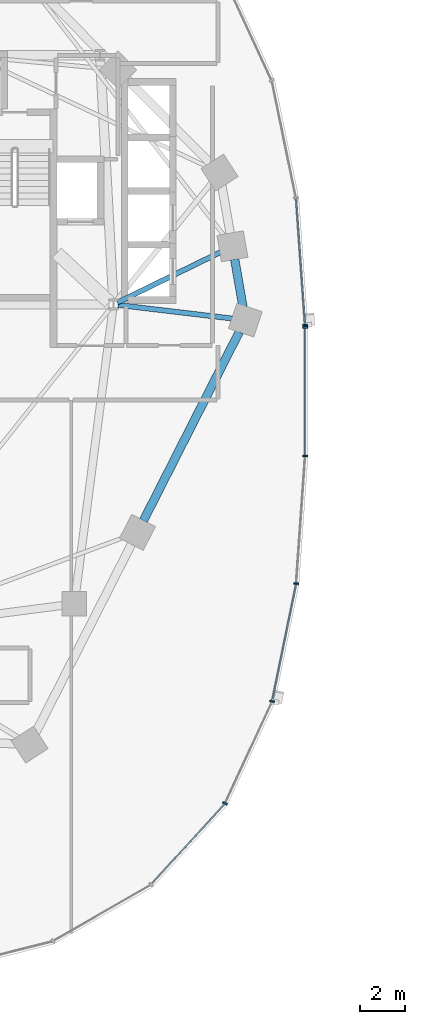
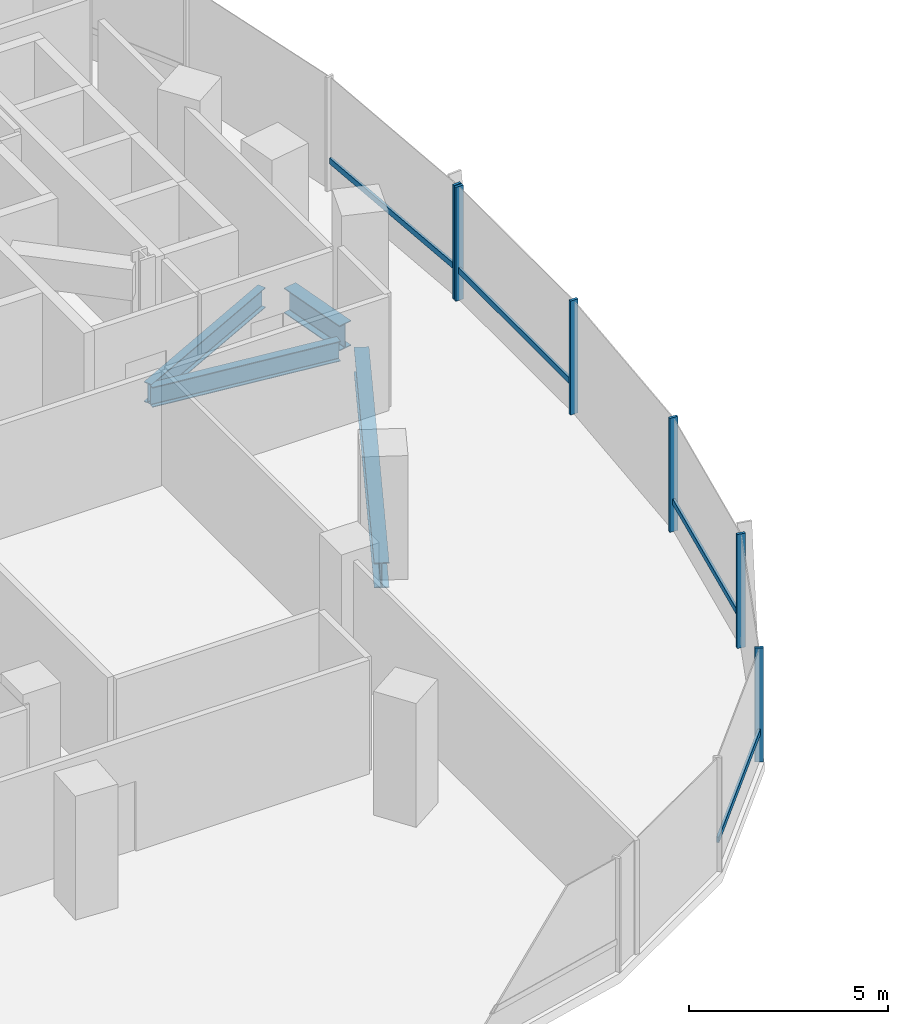
# One storey, part 3 of 21: 10 members, 4 beams, 2 elements without a shape of their own.
"""IFC4 building model written with IfcOpenShell, lengths in metres."""

from ifc_helpers import new_model, si_unit, direction, frame, origin, origin_2d, place, context, subcontext, project, spatial, rectangle, i_section, extrude, material, material_profile, profile_set, type_object, element, aggregate, save


model = new_model("IFC4")

# Units and contexts
model_context = context("Model", 3, precision=1e-05, world=origin(), true_north=direction((0.0, 1.0)))
body_context = subcontext(model_context, "Body", "Model", "MODEL_VIEW")
ifc_project = project(units=[si_unit("LENGTHUNIT", "METRE"), si_unit("AREAUNIT", "SQUARE_METRE"), si_unit("VOLUMEUNIT", "CUBIC_METRE"), si_unit("PLANEANGLEUNIT", "RADIAN"), si_unit("MASSUNIT", "GRAM", prefix="KILO"), si_unit("THERMODYNAMICTEMPERATUREUNIT", "KELVIN"), si_unit("POWERUNIT", "WATT")], contexts=[model_context])

# Site, building, storey
site_placement = place(None, origin())
site = spatial("IfcSite", under=ifc_project, at=site_placement, CompositionType="ELEMENT")
building_placement = place(site_placement, origin())
building = spatial("IfcBuilding", under=site, at=building_placement, Name="Cundina Bronze Exchange", CompositionType="ELEMENT")
storey_placement = place(building_placement, frame((0.0, 0.0, 27.800048828125)))
storey = spatial("IfcBuildingStorey", under=building, at=storey_placement, Name="L06", CompositionType="ELEMENT", Elevation=27.800048828125)

# Beams
ifc_material_1 = material(Name="Steel ASTM A992 Grade 50", Category="steel")
ifc_material_profile_1 = material_profile(ifc_material_1, i_section(OverallWidth=0.22998046875, OverallDepth=0.616943359375, WebThickness=0.01318359375, FlangeThickness=0.022216796875, FilletRadius=0.013916015625, at=origin_2d()), Name="W24X94", Category="steel")
ifc_profile_set_1 = profile_set([ifc_material_profile_1], Name="Steel ASTM A992 Grade 50")
beam_type_1 = type_object("IfcBeamType", Name="BM-FLR-W24B", PredefinedType="BEAM", material=ifc_profile_set_1)
beam_1_placement = place(storey_placement, frame((-21.247314453125, 3.8759765625, -0.608642578125), z_axis=(0.993035236117, -0.117817739878, 0.0), x_axis=(0.117817739878, 0.993035236117, 0.0)))
element("IfcBeam", 1, at=beam_1_placement, inside=storey, type_object=beam_type_1, Name="L06 Leg W Radial Floor Beam 00", PredefinedType="BEAM", context=body_context, shape_type="SweptSolid", body=[
    extrude(i_section(OverallWidth=0.22998046875, OverallDepth=0.616943359375, WebThickness=0.01318359375, FlangeThickness=0.022216796875, FilletRadius=0.013916015625, at=origin_2d()), origin(), (0.0, 0.0, 1.0), 5.1494140625),
])
beam_2_placement = place(storey_placement, frame((-21.2666015625, 3.989501953125, -0.608642578125), z_axis=(0.898610249448, 0.438747785849, 0.0), x_axis=(-0.438747785849, 0.898610249448, 0.0)))
element("IfcBeam", 2, at=beam_2_placement, inside=storey, type_object=beam_type_1, Name="L06 Leg W Radial Floor Beam 01", PredefinedType="BEAM", context=body_context, shape_type="SweptSolid", body=[
    extrude(i_section(OverallWidth=0.22998046875, OverallDepth=0.616943359375, WebThickness=0.01318359375, FlangeThickness=0.022216796875, FilletRadius=0.013916015625, at=origin_2d()), origin(), (0.0, 0.0, 1.0), 5.1337890625),
])
ifc_material_profile_2 = material_profile(ifc_material_1, i_section(OverallWidth=0.381103515625, OverallDepth=0.77294921875, WebThickness=0.0166015625, FlangeThickness=0.027099609375, FilletRadius=0.01904296875, at=origin_2d()), Name="W30X173", Category="steel")
ifc_profile_set_2 = profile_set([ifc_material_profile_2], Name="Steel ASTM A992 Grade 50")
beam_type_2 = type_object("IfcBeamType", Name="BM-RING-W30", PredefinedType="USERDEFINED", material=ifc_profile_set_2)
beam_3_placement = place(storey_placement, frame((-15.65087890625, 3.779296875, -0.6865234375), z_axis=(-0.171734584051, 0.985143254883, 0.0), x_axis=(-0.985143254883, -0.171734584051, 0.0)))
element("IfcBeam", 3, at=beam_3_placement, inside=storey, type_object=beam_type_2, Name="L06 W Perimeter Ring Girder 00", ObjectType="GIRDER", PredefinedType="USERDEFINED", context=body_context, shape_type="SweptSolid", body=[
    extrude(i_section(OverallWidth=0.381103515625, OverallDepth=0.77294921875, WebThickness=0.0166015625, FlangeThickness=0.027099609375, FilletRadius=0.01904296875, at=origin_2d()), origin(), (0.0, 0.0, 1.0), 2.173583984375),
])
beam_4_placement = place(storey_placement, frame((-20.108642578125, -5.775634765625, -0.6865234375), z_axis=(0.452819633606, 0.891602141889, 0.0), x_axis=(-0.891602141889, 0.452819633606, 0.0)))
element("IfcBeam", 4, at=beam_4_placement, inside=storey, type_object=beam_type_2, Name="L06 W Perimeter Ring Girder 13", ObjectType="GIRDER", PredefinedType="USERDEFINED", context=body_context, shape_type="SweptSolid", body=[
    extrude(i_section(OverallWidth=0.381103515625, OverallDepth=0.77294921875, WebThickness=0.0166015625, FlangeThickness=0.027099609375, FilletRadius=0.01904296875, at=origin_2d()), origin(), (0.0, 0.0, 1.0), 9.47900390625),
])

# Curtain wall, member
ifc_material_2 = material(Name="Anodised Bronze Aluminium 6063-T6", Category="aluminium")
curtain_wall_type = type_object("IfcCurtainWallType", Name="CWS-TRD-LOW", PredefinedType="NOTDEFINED", material=ifc_material_2)
curtain_wall_1_placement = place(storey_placement, origin())
curtain_wall_1 = element("IfcCurtainWall", 5, at=curtain_wall_1_placement, inside=storey, type_object=curtain_wall_type, Name="L06 CW-02 Curtain Wall Run CWR-L06-W1", PredefinedType="NOTDEFINED")
ifc_material_profile_3 = material_profile(ifc_material_2, rectangle(XDim=0.074951171875, YDim=0.219970703125, at=origin_2d()), Name="AL75X220", Category="aluminium")
ifc_profile_set_3 = profile_set([ifc_material_profile_3], Name="Anodised Bronze Aluminium 6063-T6")
member_type_1 = type_object("IfcMemberType", Name="CWM-MUL-220", PredefinedType="MULLION", material=ifc_profile_set_3)
member_1_placement = place(storey_placement, frame((-12.87548828125, 2.976318359375, 0.0), z_axis=(0.0, 0.0, 1.0), x_axis=(-0.070278787473, 0.997527389113, 0.0)))
member_1 = element("IfcMember", 6, at=member_1_placement, type_object=member_type_1, Name="CW-02 Mullion 1", PredefinedType="MULLION", context=body_context, shape_type="SweptSolid", body=[
    extrude(rectangle(XDim=0.074951171875, YDim=0.219970703125, at=origin_2d()), origin(), (0.0, 0.0, 1.0), 3.5),
])

# Curtain wall, members
curtain_wall_2_placement = place(storey_placement, origin())
curtain_wall_2 = element("IfcCurtainWall", 7, at=curtain_wall_2_placement, inside=storey, type_object=curtain_wall_type, Name="L06 CW-02 Curtain Wall Run CWR-L06-W4", PredefinedType="NOTDEFINED")
member_2_placement = place(storey_placement, frame((-16.455810546875, -18.423583984375, 0.0), z_axis=(0.0, 0.0, 1.0), x_axis=(0.42087749791, 0.907117485088, 0.0)))
member_2 = element("IfcMember", 8, at=member_2_placement, type_object=member_type_1, Name="CW-02 Mullion 4", PredefinedType="MULLION", context=body_context, shape_type="SweptSolid", body=[
    extrude(rectangle(XDim=0.074951171875, YDim=0.219970703125, at=origin_2d()), origin(), (0.0, 0.0, 1.0), 3.5),
])
member_3_placement = place(storey_placement, frame((-14.348876953125, -13.861328125, 0.0), z_axis=(0.0, 0.0, 1.0), x_axis=(0.201419845156, 0.979505000486, 0.0)))
member_3 = element("IfcMember", 9, at=member_3_placement, type_object=member_type_1, Name="CW-02 Mullion 5", PredefinedType="MULLION", context=body_context, shape_type="SweptSolid", body=[
    extrude(rectangle(XDim=0.074951171875, YDim=0.219970703125, at=origin_2d()), origin(), (0.0, 0.0, 1.0), 3.5),
])
member_4_placement = place(storey_placement, frame((-13.27099609375, -8.591552734375, 0.0), z_axis=(0.0, 0.0, 1.0), x_axis=(0.070278787473, 0.997527389113, 0.0)))
member_4 = element("IfcMember", 10, at=member_4_placement, type_object=member_type_1, Name="CW-02 Mullion 6", PredefinedType="MULLION", context=body_context, shape_type="SweptSolid", body=[
    extrude(rectangle(XDim=0.074951171875, YDim=0.219970703125, at=origin_2d()), origin(), (0.0, 0.0, 1.0), 3.5),
])
member_5_placement = place(storey_placement, frame((-12.8720703125, -2.880615234375, 0.0), z_axis=(0.0, 0.0, 1.0), x_axis=(0.0, 1.0, 0.0)))
member_5 = element("IfcMember", 11, at=member_5_placement, type_object=member_type_1, Name="CW-02 Mullion 7", PredefinedType="MULLION", context=body_context, shape_type="SweptSolid", body=[
    extrude(rectangle(XDim=0.074951171875, YDim=0.219970703125, at=origin_2d()), origin(), (0.0, 0.0, 1.0), 3.5),
])
member_6_placement = place(storey_placement, frame((-12.8720703125, 2.880615234375, 0.0), z_axis=(0.0, 0.0, 1.0), x_axis=(0.0, 1.0, 0.0)))
member_6 = element("IfcMember", 12, at=member_6_placement, type_object=member_type_1, Name="CW-02 End Mullion", PredefinedType="MULLION", context=body_context, shape_type="SweptSolid", body=[
    extrude(rectangle(XDim=0.074951171875, YDim=0.219970703125, at=origin_2d()), origin(), (0.0, 0.0, 1.0), 3.5),
])

# Member
ifc_material_profile_4 = material_profile(ifc_material_2, rectangle(XDim=0.070068359375, YDim=0.179931640625, at=origin_2d()), Name="AL70X180", Category="aluminium")
ifc_profile_set_4 = profile_set([ifc_material_profile_4], Name="Anodised Bronze Aluminium 6063-T6")
member_type_2 = type_object("IfcMemberType", Name="CWM-TRN-180", PredefinedType="USERDEFINED", material=ifc_profile_set_4)
member_7_placement = place(storey_placement, frame((-12.87841796875, 3.017333984375, 0.919921875), z_axis=(-0.070260714471, 0.997528662246, 0.0), x_axis=(-0.997528662246, -0.070260714471, 0.0)))
member_7 = element("IfcMember", 13, at=member_7_placement, type_object=member_type_2, Name="CW-02 Spandrel Transom 1", ObjectType="TRANSOM", PredefinedType="USERDEFINED", context=body_context, shape_type="SweptSolid", body=[
    extrude(rectangle(XDim=0.070068359375, YDim=0.179931640625, at=origin_2d()), origin(), (0.0, 0.0, 1.0), 5.629150390625),
])

aggregate(curtain_wall_1, [member_1, member_7])

member_8_placement = place(storey_placement, frame((-19.73291015625, -22.027099609375, 0.919921875), z_axis=(0.674302794847, 0.738454968743, 0.0), x_axis=(-0.738454968743, 0.674302794847, 0.0)))
member_8 = element("IfcMember", 14, at=member_8_placement, type_object=member_type_2, Name="CW-02 Spandrel Transom 3", ObjectType="TRANSOM", PredefinedType="USERDEFINED", context=body_context, shape_type="SweptSolid", body=[
    extrude(rectangle(XDim=0.070068359375, YDim=0.179931640625, at=origin_2d()), origin(), (0.0, 0.0, 1.0), 4.848388671875),
])

member_9_placement = place(storey_placement, frame((-14.340576171875, -13.821044921875, 0.919921875), z_axis=(0.201427712708, 0.979503382615, 0.0), x_axis=(-0.979503382615, 0.201427712708, 0.0)))
member_9 = element("IfcMember", 15, at=member_9_placement, type_object=member_type_2, Name="CW-02 Spandrel Transom 5", ObjectType="TRANSOM", PredefinedType="USERDEFINED", context=body_context, shape_type="SweptSolid", body=[
    extrude(rectangle(XDim=0.070068359375, YDim=0.179931640625, at=origin_2d()), origin(), (0.0, 0.0, 1.0), 5.291748046875),
])

member_10_placement = place(storey_placement, frame((-12.8720703125, -2.839111328125, 0.919921875), z_axis=(0.0, 1.0, 0.0), x_axis=(-1.0, 0.0, 0.0)))
member_10 = element("IfcMember", 16, at=member_10_placement, type_object=member_type_2, Name="CW-02 Spandrel Transom 7", ObjectType="TRANSOM", PredefinedType="USERDEFINED", context=body_context, shape_type="SweptSolid", body=[
    extrude(rectangle(XDim=0.070068359375, YDim=0.179931640625, at=origin_2d()), origin(), (0.0, 0.0, 1.0), 5.67822265625),
])

aggregate(curtain_wall_2, [member_8, member_2, member_3, member_9, member_4, member_5, member_6, member_10])

save(model, "model.ifc")
